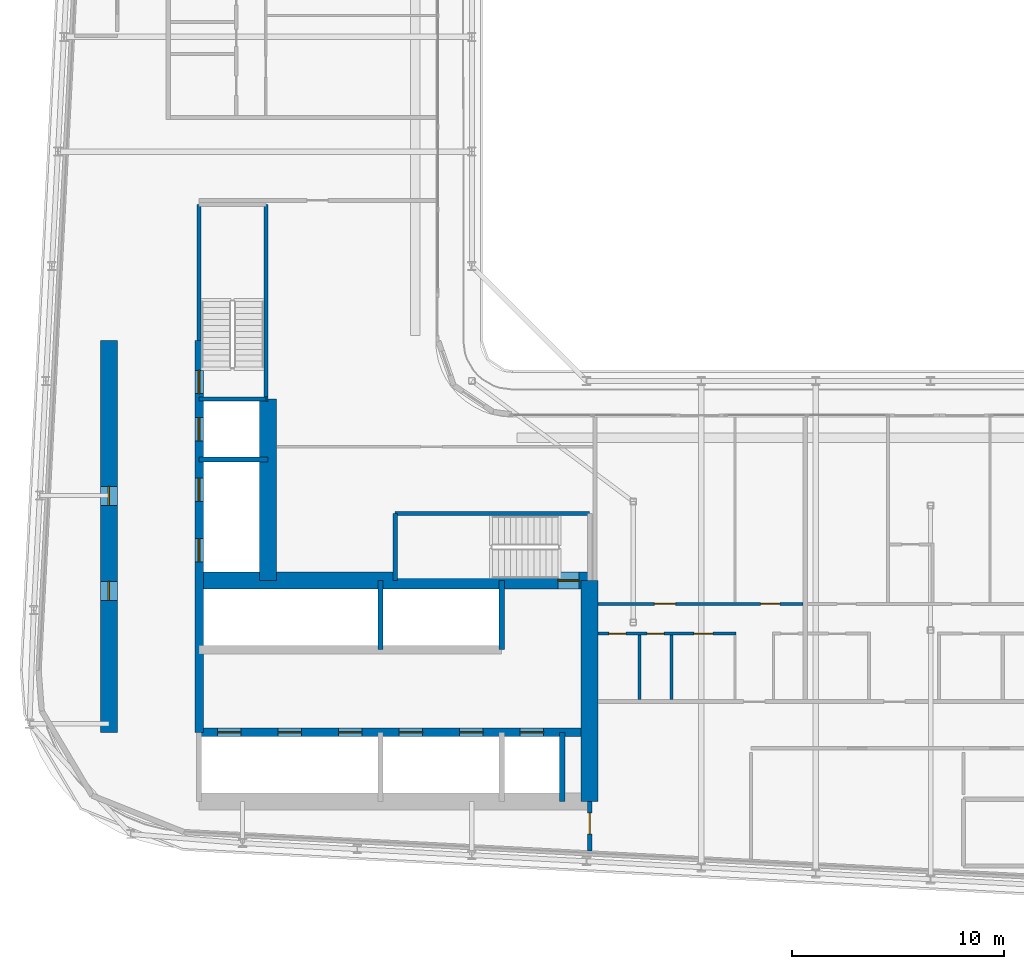
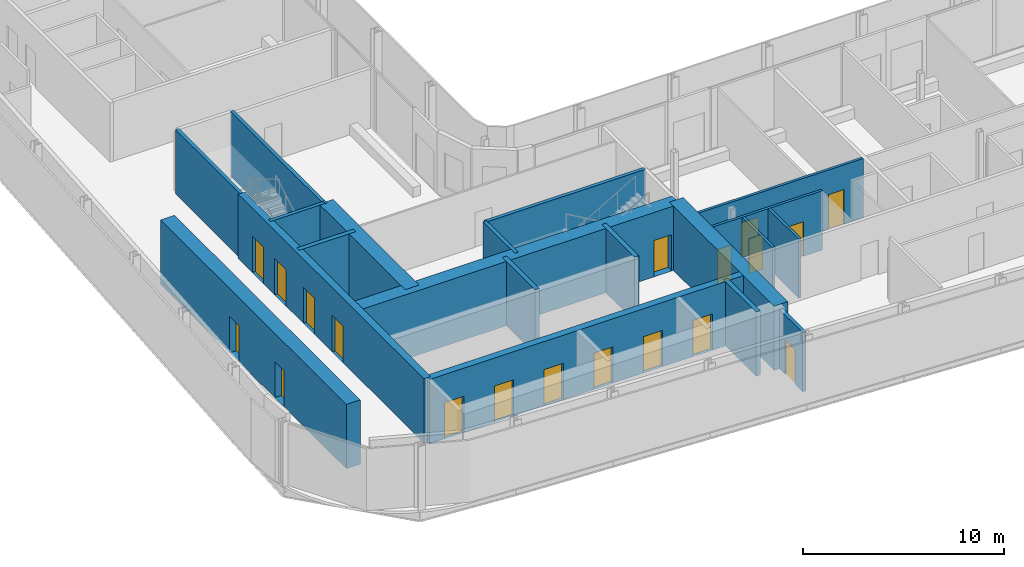
# One storey, part 15 of 29: 21 walls, 19 doors, 19 openings.
"""IFC4 building model written with IfcOpenShell, lengths in metres."""

from ifc_helpers import new_model, si_unit, direction, frame, frame_2d, origin, place, context, subcontext, project, spatial, rectangle, extrude, source, transform, mapped, material, layer, layer_set, type_object, element, fill, save


model = new_model("IFC4")

# Units and contexts
model_context = context("Model", 3, precision=1e-05, world=origin(), true_north=direction((0.0, 1.0)))
body_context = subcontext(model_context, "Body", "Model", "MODEL_VIEW")
ifc_project = project(units=[si_unit("LENGTHUNIT", "METRE"), si_unit("AREAUNIT", "SQUARE_METRE"), si_unit("VOLUMEUNIT", "CUBIC_METRE"), si_unit("PLANEANGLEUNIT", "RADIAN"), si_unit("MASSUNIT", "GRAM", prefix="KILO")], contexts=[model_context])

# Site, building, storey
site_placement = place(None, origin())
site = spatial("IfcSite", under=ifc_project, at=site_placement, CompositionType="ELEMENT")
building_placement = place(site_placement, origin())
building = spatial("IfcBuilding", under=site, at=building_placement, Name="Kheshtan School and Residences Tower", CompositionType="ELEMENT")
storey_placement = place(building_placement, frame((0.0, 0.0, 176.0)))
storey = spatial("IfcBuildingStorey", under=building, at=storey_placement, Name="L41", CompositionType="ELEMENT", Elevation=176.0)

# Wall, openings, doors
ifc_material_1 = material(Name="Concrete C50/60", Category="concrete")
ifc_layer_1 = layer(ifc_material_1, 0.39990234375)
ifc_layer_set_1 = layer_set([ifc_layer_1], Name="Core wall 400 Concrete C50/60")
wall_type_1 = type_object("IfcWallType", Name="Core wall 400 Concrete C50/60", PredefinedType="SHEAR", material=ifc_layer_set_1)
wall_1_placement = place(storey_placement, frame((34.75, 29.050048828125, 0.0), z_axis=(0.0, 0.0, 1.0), x_axis=(1.0, 0.0, 0.0)))
wall_1 = element("IfcWall", 1, at=wall_1_placement, inside=storey, type_object=wall_type_1, Name="Core wall CW-HALL-S1", PredefinedType="SHEAR", context=body_context, shape_type="SweptSolid", body=[
    extrude(rectangle(XDim=18.39990234375, YDim=0.39990234375, at=frame_2d((9.199951171875, 0.0))), origin(), (0.0, 0.0, 1.0), 3.89990234375),
])
opening_1_placement = place(wall_1_placement, frame((0.875, 0.0, 0.0)))
opening_1 = element("IfcOpeningElement", 2, at=opening_1_placement, cuts=wall_1, Name="Opening LD", PredefinedType="OPENING", context=body_context, shape_type="SweptSolid", body=[
    extrude(rectangle(XDim=1.10009765625, YDim=2.199951171875, at=frame_2d((0.550048828125, 1.10009765625))), frame((0.0, 0.2099609375, 0.0), z_axis=(0.0, -1.0, 0.0), x_axis=(1.0, 0.0, 0.0)), (0.0, 0.0, 1.0), 0.419921875),
])
opening_2_placement = place(wall_1_placement, frame((3.72509765625, 0.0, 0.0)))
opening_2 = element("IfcOpeningElement", 3, at=opening_2_placement, cuts=wall_1, Name="Opening LD", PredefinedType="OPENING", context=body_context, shape_type="SweptSolid", body=[
    extrude(rectangle(XDim=1.10009765625, YDim=2.199951171875, at=frame_2d((0.550048828125, 1.10009765625))), frame((0.0, 0.2099609375, 0.0), z_axis=(0.0, -1.0, 0.0), x_axis=(1.0, 0.0, 0.0)), (0.0, 0.0, 1.0), 0.419921875),
])
opening_3_placement = place(wall_1_placement, frame((6.574951171875, 0.0, 0.0)))
opening_3 = element("IfcOpeningElement", 4, at=opening_3_placement, cuts=wall_1, Name="Opening LD", PredefinedType="OPENING", context=body_context, shape_type="SweptSolid", body=[
    extrude(rectangle(XDim=1.10009765625, YDim=2.199951171875, at=frame_2d((0.550048828125, 1.10009765625))), frame((0.0, 0.2099609375, 0.0), z_axis=(0.0, -1.0, 0.0), x_axis=(1.0, 0.0, 0.0)), (0.0, 0.0, 1.0), 0.419921875),
])
opening_4_placement = place(wall_1_placement, frame((9.425048828125, 0.0, 0.0)))
opening_4 = element("IfcOpeningElement", 5, at=opening_4_placement, cuts=wall_1, Name="Opening LD", PredefinedType="OPENING", context=body_context, shape_type="SweptSolid", body=[
    extrude(rectangle(XDim=1.10009765625, YDim=2.199951171875, at=frame_2d((0.550048828125, 1.10009765625))), frame((0.0, 0.2099609375, 0.0), z_axis=(0.0, -1.0, 0.0), x_axis=(1.0, 0.0, 0.0)), (0.0, 0.0, 1.0), 0.419921875),
])
opening_5_placement = place(wall_1_placement, frame((12.27490234375, 0.0, 0.0)))
opening_5 = element("IfcOpeningElement", 6, at=opening_5_placement, cuts=wall_1, Name="Opening LD", PredefinedType="OPENING", context=body_context, shape_type="SweptSolid", body=[
    extrude(rectangle(XDim=1.10009765625, YDim=2.199951171875, at=frame_2d((0.550048828125, 1.10009765625))), frame((0.0, 0.2099609375, 0.0), z_axis=(0.0, -1.0, 0.0), x_axis=(1.0, 0.0, 0.0)), (0.0, 0.0, 1.0), 0.419921875),
])
opening_6_placement = place(wall_1_placement, frame((15.125, 0.0, 0.0)))
opening_6 = element("IfcOpeningElement", 7, at=opening_6_placement, cuts=wall_1, Name="Opening LD", PredefinedType="OPENING", context=body_context, shape_type="SweptSolid", body=[
    extrude(rectangle(XDim=1.10009765625, YDim=2.199951171875, at=frame_2d((0.550048828125, 1.10009765625))), frame((0.0, 0.2099609375, 0.0), z_axis=(0.0, -1.0, 0.0), x_axis=(1.0, 0.0, 0.0)), (0.0, 0.0, 1.0), 0.419921875),
])
ifc_material_2 = material(Name="Stainless steel door leaves", Category="steel")
door_type_1 = type_object("IfcDoorType", Name="Lift landing door 1100", OperationType="SLIDING_TO_LEFT", PredefinedType="DOOR", material=ifc_material_2)
shared_shape_1 = source(origin(), body_context, "Body", "SweptSolid", [
    extrude(rectangle(XDim=1.10009765625, YDim=2.199951171875, at=frame_2d((0.550048828125, 1.10009765625))), frame((0.0, 0.02490234375, 0.0), z_axis=(0.0, -1.0, 0.0), x_axis=(1.0, 0.0, 0.0)), (0.0, 0.0, 1.0), 0.050048828125),
])
door_1_placement = place(opening_1_placement, origin())
door_1 = element("IfcDoor", 8, at=door_1_placement, inside=storey, type_object=door_type_1, Name="Lift P7 landing door", OperationType="SLIDING_TO_LEFT", OverallHeight=2.199951171875, OverallWidth=1.10009765625, PredefinedType="DOOR", context=body_context, shape_type="MappedRepresentation", body=[
    mapped(shared_shape_1, transform((0.0, 0.0, 0.0), x_axis=(1.0, 0.0, 0.0), y_axis=(0.0, 1.0, 0.0), z_axis=(0.0, 0.0, 1.0), scale=1.0)),
])
fill(opening_1, door_1)
door_2_placement = place(opening_2_placement, origin())
door_2 = element("IfcDoor", 9, at=door_2_placement, inside=storey, type_object=door_type_1, Name="Lift P8 landing door", OperationType="SLIDING_TO_LEFT", OverallHeight=2.199951171875, OverallWidth=1.10009765625, PredefinedType="DOOR", context=body_context, shape_type="MappedRepresentation", body=[
    mapped(shared_shape_1, transform((0.0, 0.0, 0.0), x_axis=(1.0, 0.0, 0.0), y_axis=(0.0, 1.0, 0.0), z_axis=(0.0, 0.0, 1.0), scale=1.0)),
])
fill(opening_2, door_2)
door_3_placement = place(opening_3_placement, origin())
door_3 = element("IfcDoor", 10, at=door_3_placement, inside=storey, type_object=door_type_1, Name="Lift P9 landing door", OperationType="SLIDING_TO_LEFT", OverallHeight=2.199951171875, OverallWidth=1.10009765625, PredefinedType="DOOR", context=body_context, shape_type="MappedRepresentation", body=[
    mapped(shared_shape_1, transform((0.0, 0.0, 0.0), x_axis=(1.0, 0.0, 0.0), y_axis=(0.0, 1.0, 0.0), z_axis=(0.0, 0.0, 1.0), scale=1.0)),
])
fill(opening_3, door_3)
door_4_placement = place(opening_4_placement, origin())
door_4 = element("IfcDoor", 11, at=door_4_placement, inside=storey, type_object=door_type_1, Name="Lift P10 landing door", OperationType="SLIDING_TO_LEFT", OverallHeight=2.199951171875, OverallWidth=1.10009765625, PredefinedType="DOOR", context=body_context, shape_type="MappedRepresentation", body=[
    mapped(shared_shape_1, transform((0.0, 0.0, 0.0), x_axis=(1.0, 0.0, 0.0), y_axis=(0.0, 1.0, 0.0), z_axis=(0.0, 0.0, 1.0), scale=1.0)),
])
fill(opening_4, door_4)
door_5_placement = place(opening_5_placement, origin())
door_5 = element("IfcDoor", 12, at=door_5_placement, inside=storey, type_object=door_type_1, Name="Lift P11 landing door", OperationType="SLIDING_TO_LEFT", OverallHeight=2.199951171875, OverallWidth=1.10009765625, PredefinedType="DOOR", context=body_context, shape_type="MappedRepresentation", body=[
    mapped(shared_shape_1, transform((0.0, 0.0, 0.0), x_axis=(1.0, 0.0, 0.0), y_axis=(0.0, 1.0, 0.0), z_axis=(0.0, 0.0, 1.0), scale=1.0)),
])
fill(opening_5, door_5)
door_6_placement = place(opening_6_placement, origin())
door_6 = element("IfcDoor", 13, at=door_6_placement, inside=storey, type_object=door_type_1, Name="Lift FFL2 landing door", OperationType="SLIDING_TO_LEFT", OverallHeight=2.199951171875, OverallWidth=1.10009765625, PredefinedType="DOOR", context=body_context, shape_type="MappedRepresentation", body=[
    mapped(shared_shape_1, transform((0.0, 0.0, 0.0), x_axis=(1.0, 0.0, 0.0), y_axis=(0.0, 1.0, 0.0), z_axis=(0.0, 0.0, 1.0), scale=1.0)),
])
fill(opening_6, door_6)

wall_2_placement = place(storey_placement, frame((34.75, 29.050048828125, 0.0), z_axis=(0.0, 0.0, 1.0), x_axis=(0.0, 1.0, 0.0)))
wall_2 = element("IfcWall", 14, at=wall_2_placement, inside=storey, type_object=wall_type_1, Name="Core wall CW-HALL-W1", PredefinedType="SHEAR", context=body_context, shape_type="SweptSolid", body=[
    extrude(rectangle(XDim=18.449951171875, YDim=0.39990234375, at=frame_2d((9.22509765625, 0.0))), origin(), (0.0, 0.0, 1.0), 3.89990234375),
])
opening_7_placement = place(wall_2_placement, frame((8.02490234375, 0.0, 0.0)))
opening_7 = element("IfcOpeningElement", 15, at=opening_7_placement, cuts=wall_2, Name="Opening LD", PredefinedType="OPENING", context=body_context, shape_type="SweptSolid", body=[
    extrude(rectangle(XDim=1.10009765625, YDim=2.199951171875, at=frame_2d((0.550048828125, 1.10009765625))), frame((0.0, 0.2099609375, 0.0), z_axis=(0.0, -1.0, 0.0), x_axis=(1.0, 0.0, 0.0)), (0.0, 0.0, 1.0), 0.419921875),
])
opening_8_placement = place(wall_2_placement, frame((10.875, 0.0, 0.0)))
opening_8 = element("IfcOpeningElement", 16, at=opening_8_placement, cuts=wall_2, Name="Opening LD", PredefinedType="OPENING", context=body_context, shape_type="SweptSolid", body=[
    extrude(rectangle(XDim=1.10009765625, YDim=2.199951171875, at=frame_2d((0.550048828125, 1.10009765625))), frame((0.0, 0.2099609375, 0.0), z_axis=(0.0, -1.0, 0.0), x_axis=(1.0, 0.0, 0.0)), (0.0, 0.0, 1.0), 0.419921875),
])
opening_9_placement = place(wall_2_placement, frame((13.72509765625, 0.0, 0.0)))
opening_9 = element("IfcOpeningElement", 17, at=opening_9_placement, cuts=wall_2, Name="Opening LD", PredefinedType="OPENING", context=body_context, shape_type="SweptSolid", body=[
    extrude(rectangle(XDim=1.10009765625, YDim=2.199951171875, at=frame_2d((0.550048828125, 1.10009765625))), frame((0.0, 0.2099609375, 0.0), z_axis=(0.0, -1.0, 0.0), x_axis=(1.0, 0.0, 0.0)), (0.0, 0.0, 1.0), 0.419921875),
])
opening_10_placement = place(wall_2_placement, frame((15.949951171875, 0.0, 0.0)))
opening_10 = element("IfcOpeningElement", 18, at=opening_10_placement, cuts=wall_2, Name="Opening ST2D", PredefinedType="OPENING", context=body_context, shape_type="SweptSolid", body=[
    extrude(rectangle(XDim=1.10009765625, YDim=2.199951171875, at=frame_2d((0.550048828125, 1.10009765625))), frame((0.0, 0.2099609375, 0.0), z_axis=(0.0, -1.0, 0.0), x_axis=(1.0, 0.0, 0.0)), (0.0, 0.0, 1.0), 0.419921875),
])
door_7_placement = place(opening_7_placement, origin())
door_7 = element("IfcDoor", 19, at=door_7_placement, inside=storey, type_object=door_type_1, Name="Lift SV1 landing door", OperationType="SLIDING_TO_LEFT", OverallHeight=2.199951171875, OverallWidth=1.10009765625, PredefinedType="DOOR", context=body_context, shape_type="MappedRepresentation", body=[
    mapped(shared_shape_1, transform((0.0, 0.0, 0.0), x_axis=(1.0, 0.0, 0.0), y_axis=(0.0, 1.0, 0.0), z_axis=(0.0, 0.0, 1.0), scale=1.0)),
])
fill(opening_7, door_7)
door_8_placement = place(opening_8_placement, origin())
door_8 = element("IfcDoor", 20, at=door_8_placement, inside=storey, type_object=door_type_1, Name="Lift SV2 landing door", OperationType="SLIDING_TO_LEFT", OverallHeight=2.199951171875, OverallWidth=1.10009765625, PredefinedType="DOOR", context=body_context, shape_type="MappedRepresentation", body=[
    mapped(shared_shape_1, transform((0.0, 0.0, 0.0), x_axis=(1.0, 0.0, 0.0), y_axis=(0.0, 1.0, 0.0), z_axis=(0.0, 0.0, 1.0), scale=1.0)),
])
fill(opening_8, door_8)
door_9_placement = place(opening_9_placement, origin())
door_9 = element("IfcDoor", 21, at=door_9_placement, inside=storey, type_object=door_type_1, Name="Lift FFL1 landing door", OperationType="SLIDING_TO_LEFT", OverallHeight=2.199951171875, OverallWidth=1.10009765625, PredefinedType="DOOR", context=body_context, shape_type="MappedRepresentation", body=[
    mapped(shared_shape_1, transform((0.0, 0.0, 0.0), x_axis=(1.0, 0.0, 0.0), y_axis=(0.0, 1.0, 0.0), z_axis=(0.0, 0.0, 1.0), scale=1.0)),
])
fill(opening_9, door_9)
ifc_material_3 = material(Name="Steel door leaf, galvanised", Category="steel")
door_type_2 = type_object("IfcDoorType", Name="Stair door 1100 steel 90 min", OperationType="SINGLE_SWING_LEFT", PredefinedType="DOOR", material=ifc_material_3)
shared_shape_2 = source(origin(), body_context, "Body", "SweptSolid", [
    extrude(rectangle(XDim=1.10009765625, YDim=2.199951171875, at=frame_2d((0.550048828125, 1.10009765625))), frame((0.0, 0.02490234375, 0.0), z_axis=(0.0, -1.0, 0.0), x_axis=(1.0, 0.0, 0.0)), (0.0, 0.0, 1.0), 0.050048828125),
])
door_10_placement = place(opening_10_placement, origin())
door_10 = element("IfcDoor", 22, at=door_10_placement, inside=storey, type_object=door_type_2, Name="Stair ST2 door", OperationType="SINGLE_SWING_RIGHT", OverallHeight=2.199951171875, OverallWidth=1.10009765625, PredefinedType="DOOR", context=body_context, shape_type="MappedRepresentation", body=[
    mapped(shared_shape_2, transform((0.0, 0.0, 0.0), x_axis=(1.0, 0.0, 0.0), y_axis=(0.0, 1.0, 0.0), z_axis=(0.0, 0.0, 1.0), scale=1.0)),
])
fill(opening_10, door_10)

# Wall, opening, door
ifc_material_4 = material(Name="Concrete C70/85", Category="concrete")
ifc_layer_2 = layer(ifc_material_4, 0.800048828125)
ifc_layer_set_2 = layer_set([ifc_layer_2], Name="Core wall 800 Concrete C70/85")
wall_type_2 = type_object("IfcWallType", Name="Core wall 800 Concrete C70/85", PredefinedType="SHEAR", material=ifc_layer_set_2)
wall_3_placement = place(storey_placement, frame((34.75, 36.199951171875, 0.0), z_axis=(0.0, 0.0, 1.0), x_axis=(1.0, 0.0, 0.0)))
wall_3 = element("IfcWall", 23, at=wall_3_placement, inside=storey, type_object=wall_type_2, Name="Core wall CW-FRONT-S", PredefinedType="SHEAR", context=body_context, shape_type="SweptSolid", body=[
    extrude(rectangle(XDim=18.39990234375, YDim=0.800048828125, at=frame_2d((9.199951171875, 0.0))), origin(), (0.0, 0.0, 1.0), 3.89990234375),
])
opening_11_placement = place(wall_3_placement, frame((16.89990234375, 0.0, 0.0)))
opening_11 = element("IfcOpeningElement", 24, at=opening_11_placement, cuts=wall_3, Name="Opening ST1D", PredefinedType="OPENING", context=body_context, shape_type="SweptSolid", body=[
    extrude(rectangle(XDim=1.0, YDim=2.199951171875, at=frame_2d((0.5, 1.10009765625))), frame((0.0, 0.41015625, 0.0), z_axis=(0.0, -1.0, 0.0), x_axis=(1.0, 0.0, 0.0)), (0.0, 0.0, 1.0), 0.820068359375),
])
shared_shape_3 = source(origin(), body_context, "Body", "SweptSolid", [
    extrude(rectangle(XDim=1.0, YDim=2.199951171875, at=frame_2d((0.5, 1.10009765625))), frame((0.0, 0.02490234375, 0.0), z_axis=(0.0, -1.0, 0.0), x_axis=(1.0, 0.0, 0.0)), (0.0, 0.0, 1.0), 0.050048828125),
])
door_11_placement = place(opening_11_placement, origin())
door_11 = element("IfcDoor", 25, at=door_11_placement, inside=storey, type_object=door_type_2, Name="Stair ST1 door", OperationType="SINGLE_SWING_RIGHT", OverallHeight=2.199951171875, OverallWidth=1.0, PredefinedType="DOOR", context=body_context, shape_type="MappedRepresentation", body=[
    mapped(shared_shape_3, transform((0.0, 0.0, 0.0), x_axis=(1.0, 0.0, 0.0), y_axis=(0.0, 1.0, 0.0), z_axis=(0.0, 0.0, 1.0), scale=1.0)),
])
fill(opening_11, door_11)

# Wall
wall_4_placement = place(storey_placement, frame((38.0, 36.199951171875, 0.0), z_axis=(0.0, 0.0, 1.0), x_axis=(0.0, 1.0, 0.0)))
element("IfcWall", 26, at=wall_4_placement, inside=storey, type_object=wall_type_2, Name="Core wall CW-FRONT-W", PredefinedType="SHEAR", context=body_context, shape_type="SweptSolid", body=[
    extrude(rectangle(XDim=8.550048828125, YDim=0.800048828125, at=frame_2d((4.27490234375, 0.0))), origin(), (0.0, 0.0, 1.0), 3.89990234375),
])

# Wall, openings, doors
wall_5_placement = place(storey_placement, frame((30.5, 29.050048828125, 0.0), z_axis=(0.0, 0.0, 1.0), x_axis=(0.0, 1.0, 0.0)))
wall_5 = element("IfcWall", 27, at=wall_5_placement, inside=storey, type_object=wall_type_2, Name="Core wall CW-REAR-W", PredefinedType="SHEAR", context=body_context, shape_type="SweptSolid", body=[
    extrude(rectangle(XDim=18.449951171875, YDim=0.800048828125, at=frame_2d((9.22509765625, 0.0))), origin(), (0.0, 0.0, 1.0), 3.89990234375),
])
opening_12_placement = place(wall_5_placement, frame((6.2099609375, 0.0, 0.0)))
opening_12 = element("IfcOpeningElement", 28, at=opening_12_placement, cuts=wall_5, Name="Opening SR90", PredefinedType="OPENING", context=body_context, shape_type="SweptSolid", body=[
    extrude(rectangle(XDim=0.89990234375, YDim=2.199951171875, at=frame_2d((0.449951171875, 1.10009765625))), frame((0.0, 0.41015625, 0.0), z_axis=(0.0, -1.0, 0.0), x_axis=(1.0, 0.0, 0.0)), (0.0, 0.0, 1.0), 0.820068359375),
])
opening_13_placement = place(wall_5_placement, frame((10.68408203125, 0.0, 0.0)))
opening_13 = element("IfcOpeningElement", 29, at=opening_13_placement, cuts=wall_5, Name="Opening SR90", PredefinedType="OPENING", context=body_context, shape_type="SweptSolid", body=[
    extrude(rectangle(XDim=0.89990234375, YDim=2.199951171875, at=frame_2d((0.449951171875, 1.10009765625))), frame((0.0, 0.41015625, 0.0), z_axis=(0.0, -1.0, 0.0), x_axis=(1.0, 0.0, 0.0)), (0.0, 0.0, 1.0), 0.820068359375),
])
door_type_3 = type_object("IfcDoorType", Name="Service room door 900 steel 90 min", OperationType="SINGLE_SWING_LEFT", PredefinedType="DOOR", material=ifc_material_3)
shared_shape_4 = source(origin(), body_context, "Body", "SweptSolid", [
    extrude(rectangle(XDim=0.89990234375, YDim=2.199951171875, at=frame_2d((0.449951171875, 1.10009765625))), frame((0.0, 0.02490234375, 0.0), z_axis=(0.0, -1.0, 0.0), x_axis=(1.0, 0.0, 0.0)), (0.0, 0.0, 1.0), 0.050048828125),
])
door_12_placement = place(opening_12_placement, origin())
door_12 = element("IfcDoor", 30, at=door_12_placement, inside=storey, type_object=door_type_3, Name="Service room door", OperationType="SINGLE_SWING_RIGHT", OverallHeight=2.199951171875, OverallWidth=0.89990234375, PredefinedType="DOOR", context=body_context, shape_type="MappedRepresentation", body=[
    mapped(shared_shape_4, transform((0.0, 0.0, 0.0), x_axis=(1.0, 0.0, 0.0), y_axis=(0.0, 1.0, 0.0), z_axis=(0.0, 0.0, 1.0), scale=1.0)),
])
fill(opening_12, door_12)
door_13_placement = place(opening_13_placement, origin())
door_13 = element("IfcDoor", 31, at=door_13_placement, inside=storey, type_object=door_type_3, Name="Service room door", OperationType="SINGLE_SWING_LEFT", OverallHeight=2.199951171875, OverallWidth=0.89990234375, PredefinedType="DOOR", context=body_context, shape_type="MappedRepresentation", body=[
    mapped(shared_shape_4, transform((0.0, 0.0, 0.0), x_axis=(1.0, 0.0, 0.0), y_axis=(0.0, 1.0, 0.0), z_axis=(0.0, 0.0, 1.0), scale=1.0)),
])
fill(opening_13, door_13)

# Wall
wall_6_placement = place(storey_placement, frame((53.14990234375, 25.800048828125, 0.0), z_axis=(0.0, 0.0, 1.0), x_axis=(0.0, 1.0, 0.0)))
element("IfcWall", 32, at=wall_6_placement, inside=storey, type_object=wall_type_2, Name="Core wall CW-EAST", PredefinedType="SHEAR", context=body_context, shape_type="SweptSolid", body=[
    extrude(rectangle(XDim=10.39990234375, YDim=0.800048828125, at=frame_2d((5.199951171875, 0.0))), origin(), (0.0, 0.0, 1.0), 3.89990234375),
])

# Wall, opening, door
ifc_material_5 = material(Name="Gypsum board on steel studs with fire boards", Category="steel")
ifc_layer_3 = layer(ifc_material_5, 0.199951171875)
ifc_layer_set_3 = layer_set([ifc_layer_3], Name="Corridor wall 200")
wall_type_3 = type_object("IfcWallType", Name="Corridor wall 200", PredefinedType="PARTITIONING", material=ifc_layer_set_3)
wall_7_placement = place(storey_placement, frame((53.14990234375, 23.47216796875, 0.0), z_axis=(0.0, 0.0, 1.0), x_axis=(0.0, 1.0, 0.0)))
wall_7 = element("IfcWall", 33, at=wall_7_placement, inside=storey, type_object=wall_type_3, Name="Partition L41-030", PredefinedType="PARTITIONING", context=body_context, shape_type="SweptSolid", body=[
    extrude(rectangle(XDim=2.327880859375, YDim=0.199951171875, at=frame_2d((1.1640625, 0.0))), origin(), (0.0, 0.0, 1.0), 3.60009765625),
])
opening_14_placement = place(wall_7_placement, frame((0.784912109375, 0.0, 0.0)))
opening_14 = element("IfcOpeningElement", 34, at=opening_14_placement, cuts=wall_7, Name="Opening D41-050", PredefinedType="OPENING", context=body_context, shape_type="SweptSolid", body=[
    extrude(rectangle(XDim=1.0, YDim=2.10009765625, at=frame_2d((0.5, 1.050048828125))), frame((0.0, 0.10986328125, 0.0), z_axis=(0.0, -1.0, 0.0), x_axis=(1.0, 0.0, 0.0)), (0.0, 0.0, 1.0), 0.219970703125),
])
ifc_material_6 = material(Name="Steel-framed fire-resisting door leaf", Category="steel")
door_type_4 = type_object("IfcDoorType", Name="Fire door FD60 1000 x 2100", OperationType="SINGLE_SWING_LEFT", PredefinedType="DOOR", material=ifc_material_6)
shared_shape_5 = source(origin(), body_context, "Body", "SweptSolid", [
    extrude(rectangle(XDim=1.0, YDim=2.10009765625, at=frame_2d((0.5, 1.050048828125))), frame((0.0, 0.02490234375, 0.0), z_axis=(0.0, -1.0, 0.0), x_axis=(1.0, 0.0, 0.0)), (0.0, 0.0, 1.0), 0.050048828125),
])
door_14_placement = place(opening_14_placement, origin())
door_14 = element("IfcDoor", 35, at=door_14_placement, inside=storey, type_object=door_type_4, Name="Door D41-050", OperationType="SINGLE_SWING_RIGHT", OverallHeight=2.10009765625, OverallWidth=1.0, PredefinedType="DOOR", context=body_context, shape_type="MappedRepresentation", body=[
    mapped(shared_shape_5, transform((0.0, 0.0, 0.0), x_axis=(1.0, 0.0, 0.0), y_axis=(0.0, 1.0, 0.0), z_axis=(0.0, 0.0, 1.0), scale=1.0)),
])
fill(opening_14, door_14)

# Walls
ifc_material_7 = material(Name="Fire-board shaft wall system")
ifc_layer_4 = layer(ifc_material_7, 0.25)
ifc_layer_set_4 = layer_set([ifc_layer_4], Name="Shaft lining wall 250")
wall_type_4 = type_object("IfcWallType", Name="Shaft lining wall 250", PredefinedType="PARTITIONING", material=ifc_layer_set_4)
for number, where, z_axis, x_axis, name in (
    (36, (43.300048828125, 32.949951171875, 0.0), (0.0, 0.0, 1.0), (0.0, 1.0, 0.0), "Shaft lining wall"),
    (37, (49.0, 32.949951171875, 0.0), (0.0, 0.0, 1.0), (0.0, 1.0, 0.0), "Shaft lining wall"),
    (38, (51.85009765625, 25.800048828125, 0.0), (0.0, 0.0, 1.0), (0.0, 1.0, 0.0), "Shaft lining wall"),
    (39, (34.75, 41.89990234375, 0.0), (0.0, 0.0, 1.0), (1.0, 0.0, 0.0), "Shaft lining wall"),
):
    element("IfcWall", number, at=place(storey_placement, frame(where, z_axis=z_axis, x_axis=x_axis)), inside=storey, type_object=wall_type_4, Name=name, PredefinedType="PARTITIONING", context=body_context, shape_type="SweptSolid", body=[
        extrude(rectangle(XDim=3.25, YDim=0.25, at=frame_2d((1.625, 0.0))), origin(), (0.0, 0.0, 1.0), 3.89990234375),
    ])
wall_8_placement = place(storey_placement, frame((37.89990234375, 44.75, 0.0), z_axis=(0.0, 0.0, 1.0), x_axis=(1.0, 0.0, 0.0)))
element("IfcWall", 40, at=wall_8_placement, inside=storey, type_object=wall_type_4, Name="Shaft lining wall", PredefinedType="PARTITIONING", context=body_context, shape_type="SweptSolid", body=[
    extrude(rectangle(XDim=0.10009765625, YDim=0.25, at=frame_2d((0.050048828125, 0.0))), origin(), (0.0, 0.0, 1.0), 3.89990234375),
])
ifc_material_8 = material(Name="Concrete C40/50", Category="concrete")
ifc_layer_5 = layer(ifc_material_8, 0.199951171875)
ifc_layer_set_5 = layer_set([ifc_layer_5], Name="Stair enclosure wall 200 Concrete C40/50")
wall_type_5 = type_object("IfcWallType", Name="Stair enclosure wall 200 Concrete C40/50", PredefinedType="SHEAR", material=ifc_layer_set_5)
wall_9_placement = place(storey_placement, frame((43.989990234375, 39.35009765625, 0.0), z_axis=(0.0, 0.0, 1.0), x_axis=(1.0, 0.0, 0.0)))
element("IfcWall", 41, at=wall_9_placement, inside=storey, type_object=wall_type_5, Name="Stair enclosure wall ST1", PredefinedType="SHEAR", context=body_context, shape_type="SweptSolid", body=[
    extrude(rectangle(XDim=9.159912109375, YDim=0.199951171875, at=frame_2d((4.580078125, 0.0))), origin(), (0.0, 0.0, 1.0), 3.89990234375),
])
wall_10_placement = place(storey_placement, frame((43.989990234375, 36.199951171875, 0.0), z_axis=(0.0, 0.0, 1.0), x_axis=(0.0, 1.0, 0.0)))
element("IfcWall", 42, at=wall_10_placement, inside=storey, type_object=wall_type_5, Name="Stair enclosure wall ST1", PredefinedType="SHEAR", context=body_context, shape_type="SweptSolid", body=[
    extrude(rectangle(XDim=3.150146484375, YDim=0.199951171875, at=frame_2d((1.5751953125, 0.0))), origin(), (0.0, 0.0, 1.0), 3.89990234375),
])
wall_11_placement = place(storey_placement, frame((34.75, 44.75, 0.0), z_axis=(0.0, 0.0, 1.0), x_axis=(1.0, 0.0, 0.0)))
element("IfcWall", 43, at=wall_11_placement, inside=storey, type_object=wall_type_5, Name="Stair enclosure wall ST2", PredefinedType="SHEAR", context=body_context, shape_type="SweptSolid", body=[
    extrude(rectangle(XDim=3.14990234375, YDim=0.199951171875, at=frame_2d((1.574951171875, 0.0))), origin(), (0.0, 0.0, 1.0), 3.89990234375),
])
wall_12_placement = place(storey_placement, frame((34.75, 47.5, 0.0), z_axis=(0.0, 0.0, 1.0), x_axis=(0.0, 1.0, 0.0)))
element("IfcWall", 44, at=wall_12_placement, inside=storey, type_object=wall_type_5, Name="Stair enclosure wall ST2", PredefinedType="SHEAR", context=body_context, shape_type="SweptSolid", body=[
    extrude(rectangle(XDim=6.409912109375, YDim=0.199951171875, at=frame_2d((3.205078125, 0.0))), origin(), (0.0, 0.0, 1.0), 3.89990234375),
])
wall_13_placement = place(storey_placement, frame((37.89990234375, 44.75, 0.0), z_axis=(0.0, 0.0, 1.0), x_axis=(0.0, 1.0, 0.0)))
element("IfcWall", 45, at=wall_13_placement, inside=storey, type_object=wall_type_5, Name="Stair enclosure wall ST2", PredefinedType="SHEAR", context=body_context, shape_type="SweptSolid", body=[
    extrude(rectangle(XDim=9.159912109375, YDim=0.199951171875, at=frame_2d((4.580078125, 0.0))), origin(), (0.0, 0.0, 1.0), 3.89990234375),
])

# Wall, openings, doors
ifc_material_9 = material(Name="Moisture-resistant gypsum board on steel studs", Category="steel")
ifc_layer_6 = layer(ifc_material_9, 0.14990234375)
ifc_layer_set_6 = layer_set([ifc_layer_6], Name="Wet-room partition 150")
wall_type_6 = type_object("IfcWallType", Name="Wet-room partition 150", PredefinedType="PARTITIONING", material=ifc_layer_set_6)
wall_14_placement = place(storey_placement, frame((53.549072265625, 33.699951171875, 0.0), z_axis=(0.0, 0.0, 1.0), x_axis=(1.0, 0.0, 0.0)))
wall_14 = element("IfcWall", 46, at=wall_14_placement, inside=storey, type_object=wall_type_6, Name="Partition L41-033", PredefinedType="PARTITIONING", context=body_context, shape_type="SweptSolid", body=[
    extrude(rectangle(XDim=6.5009765625, YDim=0.14990234375, at=frame_2d((3.25048828125, 0.0))), origin(), (0.0, 0.0, 1.0), 3.60009765625),
])
opening_15_placement = place(wall_14_placement, frame((0.5009765625, 0.0, 0.0)))
opening_15 = element("IfcOpeningElement", 47, at=opening_15_placement, cuts=wall_14, Name="Opening D41-001", PredefinedType="OPENING", context=body_context, shape_type="SweptSolid", body=[
    extrude(rectangle(XDim=0.800048828125, YDim=2.10009765625, at=frame_2d((0.39990234375, 1.050048828125))), frame((0.0, 0.0849609375, 0.0), z_axis=(0.0, -1.0, 0.0), x_axis=(1.0, 0.0, 0.0)), (0.0, 0.0, 1.0), 0.169921875),
])
opening_16_placement = place(wall_14_placement, frame((4.5009765625, 0.0, 0.0)))
opening_16 = element("IfcOpeningElement", 48, at=opening_16_placement, cuts=wall_14, Name="Opening D41-004", PredefinedType="OPENING", context=body_context, shape_type="SweptSolid", body=[
    extrude(rectangle(XDim=0.89990234375, YDim=2.10009765625, at=frame_2d((0.449951171875, 1.050048828125))), frame((0.0, 0.0849609375, 0.0), z_axis=(0.0, -1.0, 0.0), x_axis=(1.0, 0.0, 0.0)), (0.0, 0.0, 1.0), 0.169921875),
])
opening_17_placement = place(wall_14_placement, frame((2.301025390625, 0.0, 0.0)))
opening_17 = element("IfcOpeningElement", 49, at=opening_17_placement, cuts=wall_14, Name="Opening D41-007", PredefinedType="OPENING", context=body_context, shape_type="SweptSolid", body=[
    extrude(rectangle(XDim=0.800048828125, YDim=2.10009765625, at=frame_2d((0.39990234375, 1.050048828125))), frame((0.0, 0.0849609375, 0.0), z_axis=(0.0, -1.0, 0.0), x_axis=(1.0, 0.0, 0.0)), (0.0, 0.0, 1.0), 0.169921875),
])
ifc_material_10 = material(Name="Veneered timber door leaf", Category="wood")
door_type_5 = type_object("IfcDoorType", Name="Door 800 x 2100", OperationType="SINGLE_SWING_LEFT", PredefinedType="DOOR", material=ifc_material_10)
shared_shape_6 = source(origin(), body_context, "Body", "SweptSolid", [
    extrude(rectangle(XDim=0.800048828125, YDim=2.10009765625, at=frame_2d((0.39990234375, 1.050048828125))), frame((0.0, 0.02490234375, 0.0), z_axis=(0.0, -1.0, 0.0), x_axis=(1.0, 0.0, 0.0)), (0.0, 0.0, 1.0), 0.050048828125),
])
door_15_placement = place(opening_15_placement, origin())
door_15 = element("IfcDoor", 50, at=door_15_placement, inside=storey, type_object=door_type_5, Name="Door D41-001", OperationType="SINGLE_SWING_RIGHT", OverallHeight=2.10009765625, OverallWidth=0.800048828125, PredefinedType="DOOR", context=body_context, shape_type="MappedRepresentation", body=[
    mapped(shared_shape_6, transform((0.0, 0.0, 0.0), x_axis=(1.0, 0.0, 0.0), y_axis=(0.0, 1.0, 0.0), z_axis=(0.0, 0.0, 1.0), scale=1.0)),
])
fill(opening_15, door_15)
door_16_placement = place(opening_17_placement, origin())
door_16 = element("IfcDoor", 51, at=door_16_placement, inside=storey, type_object=door_type_5, Name="Door D41-007", OperationType="SINGLE_SWING_RIGHT", OverallHeight=2.10009765625, OverallWidth=0.800048828125, PredefinedType="DOOR", context=body_context, shape_type="MappedRepresentation", body=[
    mapped(shared_shape_6, transform((0.0, 0.0, 0.0), x_axis=(1.0, 0.0, 0.0), y_axis=(0.0, 1.0, 0.0), z_axis=(0.0, 0.0, 1.0), scale=1.0)),
])
fill(opening_17, door_16)
door_type_6 = type_object("IfcDoorType", Name="Door 900 x 2100", OperationType="SINGLE_SWING_LEFT", PredefinedType="DOOR", material=ifc_material_10)
shared_shape_7 = source(origin(), body_context, "Body", "SweptSolid", [
    extrude(rectangle(XDim=0.89990234375, YDim=2.10009765625, at=frame_2d((0.449951171875, 1.050048828125))), frame((0.0, 0.02490234375, 0.0), z_axis=(0.0, -1.0, 0.0), x_axis=(1.0, 0.0, 0.0)), (0.0, 0.0, 1.0), 0.050048828125),
])
door_17_placement = place(opening_16_placement, origin())
door_17 = element("IfcDoor", 52, at=door_17_placement, inside=storey, type_object=door_type_6, Name="Door D41-004", OperationType="SINGLE_SWING_RIGHT", OverallHeight=2.10009765625, OverallWidth=0.89990234375, PredefinedType="DOOR", context=body_context, shape_type="MappedRepresentation", body=[
    mapped(shared_shape_7, transform((0.0, 0.0, 0.0), x_axis=(1.0, 0.0, 0.0), y_axis=(0.0, 1.0, 0.0), z_axis=(0.0, 0.0, 1.0), scale=1.0)),
])
fill(opening_16, door_17)

wall_15_placement = place(storey_placement, frame((53.549072265625, 35.10009765625, 0.0), z_axis=(0.0, 0.0, 1.0), x_axis=(1.0, 0.0, 0.0)))
wall_15 = element("IfcWall", 53, at=wall_15_placement, inside=storey, type_object=wall_type_6, Name="Partition L41-034", PredefinedType="PARTITIONING", context=body_context, shape_type="SweptSolid", body=[
    extrude(rectangle(XDim=9.65087890625, YDim=0.14990234375, at=frame_2d((4.825439453125, 0.0))), origin(), (0.0, 0.0, 1.0), 3.60009765625),
])
opening_18_placement = place(wall_15_placement, frame((7.65087890625, 0.0, 0.0)))
opening_18 = element("IfcOpeningElement", 54, at=opening_18_placement, cuts=wall_15, Name="Opening D41-002", PredefinedType="OPENING", context=body_context, shape_type="SweptSolid", body=[
    extrude(rectangle(XDim=0.89990234375, YDim=2.10009765625, at=frame_2d((0.449951171875, 1.050048828125))), frame((0.0, 0.0849609375, 0.0), z_axis=(0.0, -1.0, 0.0), x_axis=(1.0, 0.0, 0.0)), (0.0, 0.0, 1.0), 0.169921875),
])
opening_19_placement = place(wall_15_placement, frame((2.65087890625, 0.0, 0.0)))
opening_19 = element("IfcOpeningElement", 55, at=opening_19_placement, cuts=wall_15, Name="Opening D41-005", PredefinedType="OPENING", context=body_context, shape_type="SweptSolid", body=[
    extrude(rectangle(XDim=1.0, YDim=2.10009765625, at=frame_2d((0.5, 1.050048828125))), frame((0.0, 0.0849609375, 0.0), z_axis=(0.0, -1.0, 0.0), x_axis=(1.0, 0.0, 0.0)), (0.0, 0.0, 1.0), 0.169921875),
])
door_type_7 = type_object("IfcDoorType", Name="Door 1000 x 2100", OperationType="SINGLE_SWING_LEFT", PredefinedType="DOOR", material=ifc_material_10)
shared_shape_8 = source(origin(), body_context, "Body", "SweptSolid", [
    extrude(rectangle(XDim=1.0, YDim=2.10009765625, at=frame_2d((0.5, 1.050048828125))), frame((0.0, 0.02490234375, 0.0), z_axis=(0.0, -1.0, 0.0), x_axis=(1.0, 0.0, 0.0)), (0.0, 0.0, 1.0), 0.050048828125),
])
door_18_placement = place(opening_19_placement, origin())
door_18 = element("IfcDoor", 56, at=door_18_placement, inside=storey, type_object=door_type_7, Name="Door D41-005", OperationType="SINGLE_SWING_RIGHT", OverallHeight=2.10009765625, OverallWidth=1.0, PredefinedType="DOOR", context=body_context, shape_type="MappedRepresentation", body=[
    mapped(shared_shape_8, transform((0.0, 0.0, 0.0), x_axis=(1.0, 0.0, 0.0), y_axis=(0.0, 1.0, 0.0), z_axis=(0.0, 0.0, 1.0), scale=1.0)),
])
fill(opening_19, door_18)
door_19_placement = place(opening_18_placement, origin())
door_19 = element("IfcDoor", 57, at=door_19_placement, inside=storey, type_object=door_type_6, Name="Door D41-002", OperationType="SINGLE_SWING_LEFT", OverallHeight=2.10009765625, OverallWidth=0.89990234375, PredefinedType="DOOR", context=body_context, shape_type="MappedRepresentation", body=[
    mapped(shared_shape_7, transform((0.0, 0.0, 0.0), x_axis=(1.0, 0.0, 0.0), y_axis=(0.0, 1.0, 0.0), z_axis=(0.0, 0.0, 1.0), scale=1.0)),
])
fill(opening_18, door_19)

# Walls
for number, where, z_axis, x_axis, name in (
    (58, (55.5, 30.60009765625, 0.0), (0.0, 0.0, 1.0), (0.0, 1.0, 0.0), "Partition L41-035"),
    (59, (57.0, 30.60009765625, 0.0), (0.0, 0.0, 1.0), (0.0, 1.0, 0.0), "Partition L41-036"),
):
    element("IfcWall", number, at=place(storey_placement, frame(where, z_axis=z_axis, x_axis=x_axis)), inside=storey, type_object=wall_type_6, Name=name, PredefinedType="PARTITIONING", context=body_context, shape_type="SweptSolid", body=[
        extrude(rectangle(XDim=3.02490234375, YDim=0.14990234375, at=frame_2d((1.512451171875, 0.0))), origin(), (0.0, 0.0, 1.0), 3.60009765625),
    ])

save(model, "model.ifc")
